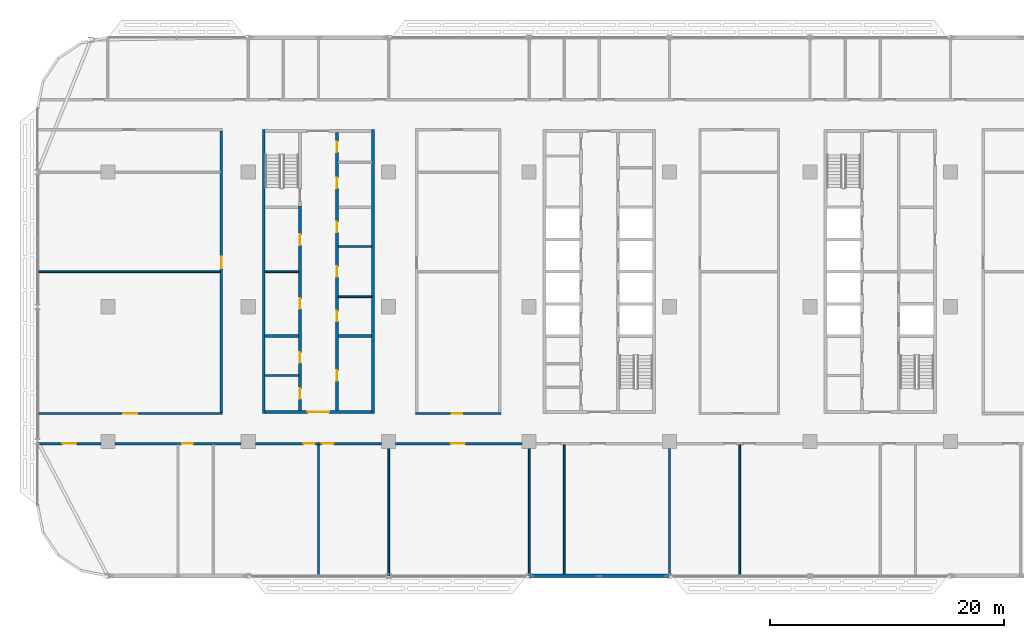
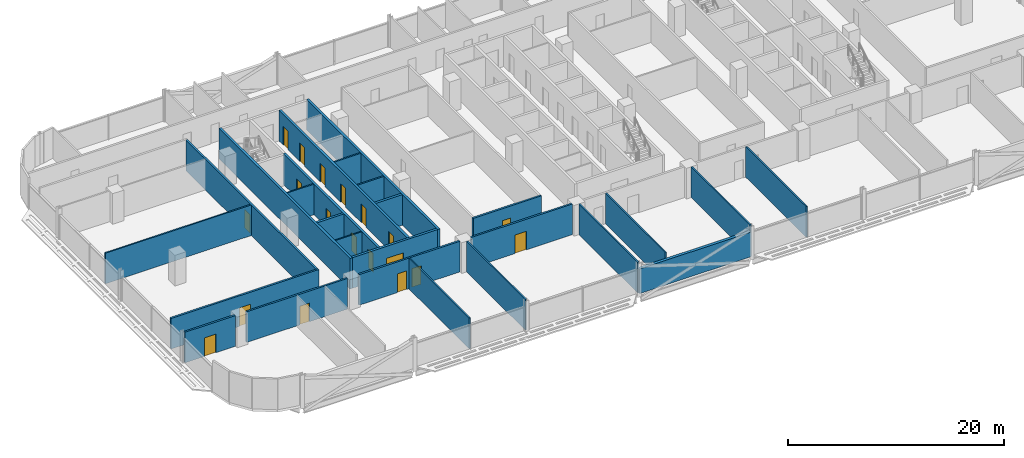
# One storey, part 11 of 27: 26 walls, 19 doors, 19 openings.
"""IFC4 building model written with IfcOpenShell, lengths in metres."""

from ifc_helpers import new_model, si_unit, direction, frame, frame_2d, origin, place, context, subcontext, project, spatial, rectangle, extrude, material, layer, layer_set, type_object, element, fill, save


model = new_model("IFC4")

# Units and contexts
model_context = context("Model", 3, precision=1e-05, world=origin(), true_north=direction((0.0, 1.0)))
body_context = subcontext(model_context, "Body", "Model", "MODEL_VIEW")
ifc_project = project(units=[si_unit("LENGTHUNIT", "METRE"), si_unit("AREAUNIT", "SQUARE_METRE"), si_unit("VOLUMEUNIT", "CUBIC_METRE"), si_unit("PLANEANGLEUNIT", "RADIAN"), si_unit("MASSUNIT", "GRAM", prefix="KILO")], contexts=[model_context])

# Site, building, storey
site_placement = place(None, origin())
site = spatial("IfcSite", under=ifc_project, at=site_placement, CompositionType="ELEMENT")
building_placement = place(site_placement, origin())
building = spatial("IfcBuilding", under=site, at=building_placement, Name="Mahtab Terrace Research Tower", CompositionType="ELEMENT")
storey_placement = place(building_placement, frame((0.0, 0.0, 166.800048828125)))
storey = spatial("IfcBuildingStorey", under=building, at=storey_placement, Name="L39", CompositionType="ELEMENT", Elevation=166.800048828125)

# Walls
ifc_material_1 = material(Name="Gypsum board partition")
ifc_layer_1 = layer(ifc_material_1, 0.14990234375)
ifc_layer_set_1 = layer_set([ifc_layer_1], Name="Core partition 150")
wall_type_1 = type_object("IfcWallType", Name="Core partition 150", PredefinedType="PARTITIONING", material=ifc_layer_set_1)
for number, where, z_axis, x_axis, name in (
    (1, (-28.550048828125, 3.0, 0.0), (0.0, 0.0, 1.0), (1.0, 0.0, 0.0), "Core wall A pWL0"),
    (2, (-22.300048828125, 0.85009765625, 0.0), (0.0, 0.0, 1.0), (1.0, 0.0, 0.0), "Core wall A pEL-215"),
    (3, (-22.300048828125, 5.14990234375, 0.0), (0.0, 0.0, 1.0), (1.0, 0.0, 0.0), "Core wall A pEL215"),
    (4, (-28.550048828125, -5.875, 0.0), (0.0, 0.0, 1.0), (1.0, 0.0, 0.0), "Core wall A pWS-888"),
):
    element("IfcWall", number, at=place(storey_placement, frame(where, z_axis=z_axis, x_axis=x_axis)), inside=storey, type_object=wall_type_1, Name=name, PredefinedType="PARTITIONING", context=body_context, shape_type="SweptSolid", body=[
        extrude(rectangle(XDim=2.85009765625, YDim=0.14990234375, at=frame_2d((1.425048828125, 0.0))), origin(), (0.0, 0.0, 1.0), 3.4599609375),
    ])
ifc_material_2 = material(Name="Concrete C70/85", Category="concrete")
ifc_layer_2 = layer(ifc_material_2, 0.25)
ifc_layer_set_2 = layer_set([ifc_layer_2], Name="Core wall 250")
wall_type_2 = type_object("IfcWallType", Name="Core wall 250", PredefinedType="SOLIDWALL", material=ifc_layer_set_2)
for number, where, z_axis, x_axis, name in (
    (5, (-28.675048828125, 15.125, 0.0), (0.0, 0.0, 1.0), (0.0, -1.0, 0.0), "Core wall A outerW"),
    (6, (-19.324951171875, -9.125, 0.0), (0.0, 0.0, 1.0), (0.0, 1.0, 0.0), "Core wall A outerE"),
):
    element("IfcWall", number, at=place(storey_placement, frame(where, z_axis=z_axis, x_axis=x_axis)), inside=storey, type_object=wall_type_2, Name=name, PredefinedType="SOLIDWALL", context=body_context, shape_type="SweptSolid", body=[
        extrude(rectangle(XDim=24.25, YDim=0.25, at=frame_2d((12.125, 0.0))), origin(), (0.0, 0.0, 1.0), 3.4599609375),
    ])

# Wall, opening, door
wall_1_placement = place(storey_placement, frame((-19.449951171875, -9.0, 0.0), z_axis=(0.0, 0.0, 1.0), x_axis=(-1.0, 0.0, 0.0)))
wall_1 = element("IfcWall", 7, at=wall_1_placement, inside=storey, type_object=wall_type_2, Name="Core wall A endS", PredefinedType="SOLIDWALL", context=body_context, shape_type="SweptSolid", body=[
    extrude(rectangle(XDim=9.10009765625, YDim=0.25, at=frame_2d((4.550048828125, 0.0))), origin(), (0.0, 0.0, 1.0), 3.4599609375),
])
opening_1_placement = place(wall_1_placement, frame((3.64990234375, 0.0, 0.0)))
opening_1 = element("IfcOpeningElement", 8, at=opening_1_placement, cuts=wall_1, Name="Opening A-S1", PredefinedType="OPENING", context=body_context, shape_type="SweptSolid", body=[
    extrude(rectangle(XDim=1.800048828125, YDim=2.10009765625, at=frame_2d((0.89990234375, 1.050048828125))), frame((0.0, 0.135009765625, 0.0), z_axis=(0.0, -1.0, 0.0), x_axis=(1.0, 0.0, 0.0)), (0.0, 0.0, 1.0), 0.27001953125),
])
ifc_material_3 = material(Name="Steel fire door", Category="steel")
door_type_1 = type_object("IfcDoorType", Name="Lobby double door 1800x2100 1 HR", OperationType="DOUBLE_DOOR_SINGLE_SWING", PredefinedType="DOOR", material=ifc_material_3)
door_1_placement = place(opening_1_placement, origin())
door_1 = element("IfcDoor", 9, at=door_1_placement, inside=storey, type_object=door_type_1, Name="Core entrance door A S", OperationType="DOUBLE_DOOR_SINGLE_SWING", OverallHeight=2.10009765625, OverallWidth=1.800048828125, PredefinedType="DOOR", context=body_context, shape_type="SweptSolid", body=[
    extrude(rectangle(XDim=1.800048828125, YDim=2.10009765625, at=frame_2d((0.89990234375, 1.050048828125))), frame((0.0, 0.02490234375, 0.0), z_axis=(0.0, -1.0, 0.0), x_axis=(1.0, 0.0, 0.0)), (0.0, 0.0, 1.0), 0.050048828125),
])
fill(opening_1, door_1)

# Wall, openings, doors
wall_2_placement = place(storey_placement, frame((-25.574951171875, -8.875, 0.0), z_axis=(0.0, 0.0, 1.0), x_axis=(0.0, 1.0, 0.0)))
wall_2 = element("IfcWall", 10, at=wall_2_placement, inside=storey, type_object=wall_type_2, Name="Core wall A innerWSL", PredefinedType="SOLIDWALL", context=body_context, shape_type="SweptSolid", body=[
    extrude(rectangle(XDim=17.5, YDim=0.25, at=frame_2d((8.75, 0.0))), origin(), (0.0, 0.0, 1.0), 3.4599609375),
])
opening_2_placement = place(wall_2_placement, frame((8.699951171875, 0.0, 0.0)))
opening_2 = element("IfcOpeningElement", 11, at=opening_2_placement, cuts=wall_2, Name="Opening A-R1", PredefinedType="OPENING", context=body_context, shape_type="SweptSolid", body=[
    extrude(rectangle(XDim=0.89990234375, YDim=2.10009765625, at=frame_2d((0.449951171875, 1.050048828125))), frame((0.0, 0.135009765625, 0.0), z_axis=(0.0, -1.0, 0.0), x_axis=(1.0, 0.0, 0.0)), (0.0, 0.0, 1.0), 0.27001953125),
])
opening_3_placement = place(wall_2_placement, frame((14.14990234375, 0.0, 0.0)))
opening_3 = element("IfcOpeningElement", 12, at=opening_3_placement, cuts=wall_2, Name="Opening A-R2", PredefinedType="OPENING", context=body_context, shape_type="SweptSolid", body=[
    extrude(rectangle(XDim=0.89990234375, YDim=2.10009765625, at=frame_2d((0.449951171875, 1.050048828125))), frame((0.0, 0.135009765625, 0.0), z_axis=(0.0, -1.0, 0.0), x_axis=(1.0, 0.0, 0.0)), (0.0, 0.0, 1.0), 0.27001953125),
])
opening_4_placement = place(wall_2_placement, frame((1.012451171875, 0.0, 0.0)))
opening_4 = element("IfcOpeningElement", 13, at=opening_4_placement, cuts=wall_2, Name="Opening A-R6", PredefinedType="OPENING", context=body_context, shape_type="SweptSolid", body=[
    extrude(rectangle(XDim=0.89990234375, YDim=2.10009765625, at=frame_2d((0.449951171875, 1.050048828125))), frame((0.0, 0.135009765625, 0.0), z_axis=(0.0, -1.0, 0.0), x_axis=(1.0, 0.0, 0.0)), (0.0, 0.0, 1.0), 0.27001953125),
])
opening_5_placement = place(wall_2_placement, frame((4.08740234375, 0.0, 0.0)))
opening_5 = element("IfcOpeningElement", 14, at=opening_5_placement, cuts=wall_2, Name="Opening A-R7", PredefinedType="OPENING", context=body_context, shape_type="SweptSolid", body=[
    extrude(rectangle(XDim=0.89990234375, YDim=2.10009765625, at=frame_2d((0.449951171875, 1.050048828125))), frame((0.0, 0.135009765625, 0.0), z_axis=(0.0, -1.0, 0.0), x_axis=(1.0, 0.0, 0.0)), (0.0, 0.0, 1.0), 0.27001953125),
])
door_type_2 = type_object("IfcDoorType", Name="Room door 900x2100 1 HR", OperationType="NOTDEFINED", PredefinedType="DOOR", material=ifc_material_3)
door_2_placement = place(opening_2_placement, origin())
door_2 = element("IfcDoor", 15, at=door_2_placement, inside=storey, type_object=door_type_2, Name="Document store door", OperationType="SINGLE_SWING_LEFT", OverallHeight=2.10009765625, OverallWidth=0.89990234375, PredefinedType="DOOR", context=body_context, shape_type="SweptSolid", body=[
    extrude(rectangle(XDim=0.89990234375, YDim=2.10009765625, at=frame_2d((0.449951171875, 1.050048828125))), frame((0.0, 0.02490234375, 0.0), z_axis=(0.0, -1.0, 0.0), x_axis=(1.0, 0.0, 0.0)), (0.0, 0.0, 1.0), 0.050048828125),
])
fill(opening_2, door_2)
door_3_placement = place(opening_3_placement, origin())
door_3 = element("IfcDoor", 16, at=door_3_placement, inside=storey, type_object=door_type_2, Name="IT equipment room door", OperationType="SINGLE_SWING_RIGHT", OverallHeight=2.10009765625, OverallWidth=0.89990234375, PredefinedType="DOOR", context=body_context, shape_type="SweptSolid", body=[
    extrude(rectangle(XDim=0.89990234375, YDim=2.10009765625, at=frame_2d((0.449951171875, 1.050048828125))), frame((0.0, 0.02490234375, 0.0), z_axis=(0.0, -1.0, 0.0), x_axis=(1.0, 0.0, 0.0)), (0.0, 0.0, 1.0), 0.050048828125),
])
fill(opening_3, door_3)
door_4_placement = place(opening_4_placement, origin())
door_4 = element("IfcDoor", 17, at=door_4_placement, inside=storey, type_object=door_type_2, Name="Staff WC door", OperationType="SINGLE_SWING_RIGHT", OverallHeight=2.10009765625, OverallWidth=0.89990234375, PredefinedType="DOOR", context=body_context, shape_type="SweptSolid", body=[
    extrude(rectangle(XDim=0.89990234375, YDim=2.10009765625, at=frame_2d((0.449951171875, 1.050048828125))), frame((0.0, 0.02490234375, 0.0), z_axis=(0.0, -1.0, 0.0), x_axis=(1.0, 0.0, 0.0)), (0.0, 0.0, 1.0), 0.050048828125),
])
fill(opening_4, door_4)
door_5_placement = place(opening_5_placement, origin())
door_5 = element("IfcDoor", 18, at=door_5_placement, inside=storey, type_object=door_type_2, Name="Accessible WC door", OperationType="SINGLE_SWING_LEFT", OverallHeight=2.10009765625, OverallWidth=0.89990234375, PredefinedType="DOOR", context=body_context, shape_type="SweptSolid", body=[
    extrude(rectangle(XDim=0.89990234375, YDim=2.10009765625, at=frame_2d((0.449951171875, 1.050048828125))), frame((0.0, 0.02490234375, 0.0), z_axis=(0.0, -1.0, 0.0), x_axis=(1.0, 0.0, 0.0)), (0.0, 0.0, 1.0), 0.050048828125),
])
fill(opening_5, door_5)

wall_3_placement = place(storey_placement, frame((-22.425048828125, 14.875, 0.0), z_axis=(0.0, 0.0, 1.0), x_axis=(0.0, -1.0, 0.0)))
wall_3 = element("IfcWall", 19, at=wall_3_placement, inside=storey, type_object=wall_type_2, Name="Core wall A innerESLN", PredefinedType="SOLIDWALL", context=body_context, shape_type="SweptSolid", body=[
    extrude(rectangle(XDim=23.75, YDim=0.25, at=frame_2d((11.875, 0.0))), origin(), (0.0, 0.0, 1.0), 3.4599609375),
])
opening_6_placement = place(wall_3_placement, frame((15.22509765625, 0.0, 0.0)))
opening_6 = element("IfcOpeningElement", 20, at=opening_6_placement, cuts=wall_3, Name="Opening A-R3", PredefinedType="OPENING", context=body_context, shape_type="SweptSolid", body=[
    extrude(rectangle(XDim=0.89990234375, YDim=2.10009765625, at=frame_2d((0.449951171875, 1.050048828125))), frame((0.0, 0.135009765625, 0.0), z_axis=(0.0, -1.0, 0.0), x_axis=(1.0, 0.0, 0.0)), (0.0, 0.0, 1.0), 0.27001953125),
])
opening_7_placement = place(wall_3_placement, frame((11.425048828125, 0.0, 0.0)))
opening_7 = element("IfcOpeningElement", 21, at=opening_7_placement, cuts=wall_3, Name="Opening A-R4", PredefinedType="OPENING", context=body_context, shape_type="SweptSolid", body=[
    extrude(rectangle(XDim=0.89990234375, YDim=2.10009765625, at=frame_2d((0.449951171875, 1.050048828125))), frame((0.0, 0.135009765625, 0.0), z_axis=(0.0, -1.0, 0.0), x_axis=(1.0, 0.0, 0.0)), (0.0, 0.0, 1.0), 0.27001953125),
])
opening_8_placement = place(wall_3_placement, frame((7.625, 0.0, 0.0)))
opening_8 = element("IfcOpeningElement", 22, at=opening_8_placement, cuts=wall_3, Name="Opening A-R5", PredefinedType="OPENING", context=body_context, shape_type="SweptSolid", body=[
    extrude(rectangle(XDim=0.89990234375, YDim=2.10009765625, at=frame_2d((0.449951171875, 1.050048828125))), frame((0.0, 0.135009765625, 0.0), z_axis=(0.0, -1.0, 0.0), x_axis=(1.0, 0.0, 0.0)), (0.0, 0.0, 1.0), 0.27001953125),
])
opening_9_placement = place(wall_3_placement, frame((20.300048828125, 0.0, 0.0)))
opening_9 = element("IfcOpeningElement", 23, at=opening_9_placement, cuts=wall_3, Name="Opening A-R8", PredefinedType="OPENING", context=body_context, shape_type="SweptSolid", body=[
    extrude(rectangle(XDim=0.89990234375, YDim=2.10009765625, at=frame_2d((0.449951171875, 1.050048828125))), frame((0.0, 0.135009765625, 0.0), z_axis=(0.0, -1.0, 0.0), x_axis=(1.0, 0.0, 0.0)), (0.0, 0.0, 1.0), 0.27001953125),
])
opening_10_placement = place(wall_3_placement, frame((3.847412109375, 0.0, 0.0)))
opening_10 = element("IfcOpeningElement", 24, at=opening_10_placement, cuts=wall_3, Name="Opening A-R9", PredefinedType="OPENING", context=body_context, shape_type="SweptSolid", body=[
    extrude(rectangle(XDim=0.89990234375, YDim=2.10009765625, at=frame_2d((0.449951171875, 1.050048828125))), frame((0.0, 0.135009765625, 0.0), z_axis=(0.0, -1.0, 0.0), x_axis=(1.0, 0.0, 0.0)), (0.0, 0.0, 1.0), 0.27001953125),
])
opening_11_placement = place(wall_3_placement, frame((0.7724609375, 0.0, 0.0)))
opening_11 = element("IfcOpeningElement", 25, at=opening_11_placement, cuts=wall_3, Name="Opening A-R10", PredefinedType="OPENING", context=body_context, shape_type="SweptSolid", body=[
    extrude(rectangle(XDim=0.89990234375, YDim=2.10009765625, at=frame_2d((0.449951171875, 1.050048828125))), frame((0.0, 0.135009765625, 0.0), z_axis=(0.0, -1.0, 0.0), x_axis=(1.0, 0.0, 0.0)), (0.0, 0.0, 1.0), 0.27001953125),
])
door_6_placement = place(opening_6_placement, origin())
door_6 = element("IfcDoor", 26, at=door_6_placement, inside=storey, type_object=door_type_2, Name="Electrical room door", OperationType="SINGLE_SWING_LEFT", OverallHeight=2.10009765625, OverallWidth=0.89990234375, PredefinedType="DOOR", context=body_context, shape_type="SweptSolid", body=[
    extrude(rectangle(XDim=0.89990234375, YDim=2.10009765625, at=frame_2d((0.449951171875, 1.050048828125))), frame((0.0, 0.02490234375, 0.0), z_axis=(0.0, -1.0, 0.0), x_axis=(1.0, 0.0, 0.0)), (0.0, 0.0, 1.0), 0.050048828125),
])
fill(opening_6, door_6)
door_7_placement = place(opening_7_placement, origin())
door_7 = element("IfcDoor", 27, at=door_7_placement, inside=storey, type_object=door_type_2, Name="Pantry door", OperationType="SINGLE_SWING_RIGHT", OverallHeight=2.10009765625, OverallWidth=0.89990234375, PredefinedType="DOOR", context=body_context, shape_type="SweptSolid", body=[
    extrude(rectangle(XDim=0.89990234375, YDim=2.10009765625, at=frame_2d((0.449951171875, 1.050048828125))), frame((0.0, 0.02490234375, 0.0), z_axis=(0.0, -1.0, 0.0), x_axis=(1.0, 0.0, 0.0)), (0.0, 0.0, 1.0), 0.050048828125),
])
fill(opening_7, door_7)
door_8_placement = place(opening_8_placement, origin())
door_8 = element("IfcDoor", 28, at=door_8_placement, inside=storey, type_object=door_type_2, Name="Housekeeping store door", OperationType="SINGLE_SWING_LEFT", OverallHeight=2.10009765625, OverallWidth=0.89990234375, PredefinedType="DOOR", context=body_context, shape_type="SweptSolid", body=[
    extrude(rectangle(XDim=0.89990234375, YDim=2.10009765625, at=frame_2d((0.449951171875, 1.050048828125))), frame((0.0, 0.02490234375, 0.0), z_axis=(0.0, -1.0, 0.0), x_axis=(1.0, 0.0, 0.0)), (0.0, 0.0, 1.0), 0.050048828125),
])
fill(opening_8, door_8)
door_9_placement = place(opening_9_placement, origin())
door_9 = element("IfcDoor", 29, at=door_9_placement, inside=storey, type_object=door_type_2, Name="Gas cylinder store door", OperationType="SINGLE_SWING_RIGHT", OverallHeight=2.10009765625, OverallWidth=0.89990234375, PredefinedType="DOOR", context=body_context, shape_type="SweptSolid", body=[
    extrude(rectangle(XDim=0.89990234375, YDim=2.10009765625, at=frame_2d((0.449951171875, 1.050048828125))), frame((0.0, 0.02490234375, 0.0), z_axis=(0.0, -1.0, 0.0), x_axis=(1.0, 0.0, 0.0)), (0.0, 0.0, 1.0), 0.050048828125),
])
fill(opening_9, door_9)
door_10_placement = place(opening_10_placement, origin())
door_10 = element("IfcDoor", 30, at=door_10_placement, inside=storey, type_object=door_type_2, Name="Pantry door", OperationType="SINGLE_SWING_LEFT", OverallHeight=2.10009765625, OverallWidth=0.89990234375, PredefinedType="DOOR", context=body_context, shape_type="SweptSolid", body=[
    extrude(rectangle(XDim=0.89990234375, YDim=2.10009765625, at=frame_2d((0.449951171875, 1.050048828125))), frame((0.0, 0.02490234375, 0.0), z_axis=(0.0, -1.0, 0.0), x_axis=(1.0, 0.0, 0.0)), (0.0, 0.0, 1.0), 0.050048828125),
])
fill(opening_10, door_10)
door_11_placement = place(opening_11_placement, origin())
door_11 = element("IfcDoor", 31, at=door_11_placement, inside=storey, type_object=door_type_2, Name="Linen store door", OperationType="SINGLE_SWING_RIGHT", OverallHeight=2.10009765625, OverallWidth=0.89990234375, PredefinedType="DOOR", context=body_context, shape_type="SweptSolid", body=[
    extrude(rectangle(XDim=0.89990234375, YDim=2.10009765625, at=frame_2d((0.449951171875, 1.050048828125))), frame((0.0, 0.02490234375, 0.0), z_axis=(0.0, -1.0, 0.0), x_axis=(1.0, 0.0, 0.0)), (0.0, 0.0, 1.0), 0.050048828125),
])
fill(opening_11, door_11)

# Walls
for number, where, z_axis, x_axis, name in (
    (32, (-28.550048828125, -2.5, 0.0), (0.0, 0.0, 1.0), (1.0, 0.0, 0.0), "Core wall A divW0"),
    (33, (-22.300048828125, -2.5, 0.0), (0.0, 0.0, 1.0), (1.0, 0.0, 0.0), "Core wall A divE0"),
):
    element("IfcWall", number, at=place(storey_placement, frame(where, z_axis=z_axis, x_axis=x_axis)), inside=storey, type_object=wall_type_2, Name=name, PredefinedType="SOLIDWALL", context=body_context, shape_type="SweptSolid", body=[
        extrude(rectangle(XDim=2.85009765625, YDim=0.25, at=frame_2d((1.425048828125, 0.0))), origin(), (0.0, 0.0, 1.0), 3.4599609375),
    ])
ifc_material_4 = material(Name="Black aluminium cladding panel", Category="aluminium")
ifc_layer_3 = layer(ifc_material_4, 0.300048828125)
ifc_layer_set_3 = layer_set([ifc_layer_3], Name="Opaque facade wall 300")
wall_type_3 = type_object("IfcWallType", Name="Opaque facade wall 300", PredefinedType="NOTDEFINED", material=ifc_layer_set_3)
wall_4_placement = place(storey_placement, frame((-5.985107421875, -23.0, 0.0), z_axis=(0.0, 0.0, 1.0), x_axis=(1.0, 0.0, 0.0)))
element("IfcWall", 34, at=wall_4_placement, inside=storey, type_object=wall_type_3, Name="Opaque facade wall L39 S26", PredefinedType="NOTDEFINED", context=body_context, shape_type="SweptSolid", body=[
    extrude(rectangle(XDim=11.97021484375, YDim=0.300048828125, at=frame_2d((5.985107421875, 0.0))), origin(), (0.0, 0.0, 1.0), 2.78173828125),
])

# Wall, opening, door
ifc_material_5 = material(Name="Gypsum board corridor wall on steel studs", Category="steel")
ifc_layer_4 = layer(ifc_material_5, 0.199951171875)
ifc_layer_set_4 = layer_set([ifc_layer_4], Name="WALL CORRIDOR 200")
wall_type_4 = type_object("IfcWallType", Name="WALL CORRIDOR 200", PredefinedType="PARTITIONING", material=ifc_layer_set_4)
wall_5_placement = place(storey_placement, frame((-47.97509765625, -11.699951171875, 0.0), z_axis=(0.0, 0.0, 1.0), x_axis=(1.0, 0.0, 0.0)))
wall_5 = element("IfcWall", 35, at=wall_5_placement, inside=storey, type_object=wall_type_4, Name="L39-W001", PredefinedType="PARTITIONING", context=body_context, shape_type="SweptSolid", body=[
    extrude(rectangle(XDim=5.375, YDim=0.199951171875, at=frame_2d((2.6875, 0.0))), origin(), (0.0, 0.0, 1.0), 3.4599609375),
])
opening_12_placement = place(wall_5_placement, frame((2.10009765625, 0.0, 0.0)))
opening_12 = element("IfcOpeningElement", 36, at=opening_12_placement, cuts=wall_5, Name="Opening L39-101", PredefinedType="OPENING", context=body_context, shape_type="SweptSolid", body=[
    extrude(rectangle(XDim=1.199951171875, YDim=2.10009765625, at=frame_2d((0.60009765625, 1.050048828125))), frame((0.0, 0.10986328125, 0.0), z_axis=(0.0, -1.0, 0.0), x_axis=(1.0, 0.0, 0.0)), (0.0, 0.0, 1.0), 0.219970703125),
])
ifc_material_6 = material(Name="Timber door leaf in steel frame", Category="steel")
door_type_3 = type_object("IfcDoorType", Name="DOOR 1200X2100 FD30S", OperationType="SINGLE_SWING_LEFT", PredefinedType="DOOR", material=ifc_material_6)
door_12_placement = place(opening_12_placement, origin())
door_12 = element("IfcDoor", 37, at=door_12_placement, inside=storey, type_object=door_type_3, Name="Door L39-101", OperationType="SINGLE_SWING_LEFT", OverallHeight=2.10009765625, OverallWidth=1.199951171875, PredefinedType="DOOR", context=body_context, shape_type="SweptSolid", body=[
    extrude(rectangle(XDim=1.199951171875, YDim=2.10009765625, at=frame_2d((0.60009765625, 1.050048828125))), frame((0.0, 0.02490234375, 0.0), z_axis=(0.0, -1.0, 0.0), x_axis=(1.0, 0.0, 0.0)), (0.0, 0.0, 1.0), 0.050048828125),
])
fill(opening_12, door_12)

wall_6_placement = place(storey_placement, frame((-41.39990234375, -11.699951171875, 0.0), z_axis=(0.0, 0.0, 1.0), x_axis=(1.0, 0.0, 0.0)))
wall_6 = element("IfcWall", 38, at=wall_6_placement, inside=storey, type_object=wall_type_4, Name="L39-W002", PredefinedType="PARTITIONING", context=body_context, shape_type="SweptSolid", body=[
    extrude(rectangle(XDim=10.7998046875, YDim=0.199951171875, at=frame_2d((5.39990234375, 0.0))), origin(), (0.0, 0.0, 1.0), 3.4599609375),
])
opening_13_placement = place(wall_6_placement, frame((5.699951171875, 0.0, 0.0)))
opening_13 = element("IfcOpeningElement", 39, at=opening_13_placement, cuts=wall_6, Name="Opening L39-102", PredefinedType="OPENING", context=body_context, shape_type="SweptSolid", body=[
    extrude(rectangle(XDim=1.0, YDim=2.10009765625, at=frame_2d((0.5, 1.050048828125))), frame((0.0, 0.10986328125, 0.0), z_axis=(0.0, -1.0, 0.0), x_axis=(1.0, 0.0, 0.0)), (0.0, 0.0, 1.0), 0.219970703125),
])
door_type_4 = type_object("IfcDoorType", Name="DOOR 1000X2100 FD30S", OperationType="SINGLE_SWING_LEFT", PredefinedType="DOOR", material=ifc_material_6)
door_13_placement = place(opening_13_placement, origin())
door_13 = element("IfcDoor", 40, at=door_13_placement, inside=storey, type_object=door_type_4, Name="Door L39-102", OperationType="SINGLE_SWING_LEFT", OverallHeight=2.10009765625, OverallWidth=1.0, PredefinedType="DOOR", context=body_context, shape_type="SweptSolid", body=[
    extrude(rectangle(XDim=1.0, YDim=2.10009765625, at=frame_2d((0.5, 1.050048828125))), frame((0.0, 0.02490234375, 0.0), z_axis=(0.0, -1.0, 0.0), x_axis=(1.0, 0.0, 0.0)), (0.0, 0.0, 1.0), 0.050048828125),
])
fill(opening_13, door_13)

# Wall, openings, doors
wall_7_placement = place(storey_placement, frame((-29.39990234375, -11.699951171875, 0.0), z_axis=(0.0, 0.0, 1.0), x_axis=(1.0, 0.0, 0.0)))
wall_7 = element("IfcWall", 41, at=wall_7_placement, inside=storey, type_object=wall_type_4, Name="L39-W003", PredefinedType="PARTITIONING", context=body_context, shape_type="SweptSolid", body=[
    extrude(rectangle(XDim=10.7998046875, YDim=0.199951171875, at=frame_2d((5.39990234375, 0.0))), origin(), (0.0, 0.0, 1.0), 3.4599609375),
])
opening_14_placement = place(wall_7_placement, frame((4.10009765625, 0.0, 0.0)))
opening_14 = element("IfcOpeningElement", 42, at=opening_14_placement, cuts=wall_7, Name="Opening L39-103", PredefinedType="OPENING", context=body_context, shape_type="SweptSolid", body=[
    extrude(rectangle(XDim=1.0, YDim=2.10009765625, at=frame_2d((0.5, 1.050048828125))), frame((0.0, 0.10986328125, 0.0), z_axis=(0.0, -1.0, 0.0), x_axis=(1.0, 0.0, 0.0)), (0.0, 0.0, 1.0), 0.219970703125),
])
opening_15_placement = place(wall_7_placement, frame((5.699951171875, 0.0, 0.0)))
opening_15 = element("IfcOpeningElement", 43, at=opening_15_placement, cuts=wall_7, Name="Opening L39-104", PredefinedType="OPENING", context=body_context, shape_type="SweptSolid", body=[
    extrude(rectangle(XDim=1.0, YDim=2.10009765625, at=frame_2d((0.5, 1.050048828125))), frame((0.0, 0.10986328125, 0.0), z_axis=(0.0, -1.0, 0.0), x_axis=(1.0, 0.0, 0.0)), (0.0, 0.0, 1.0), 0.219970703125),
])
door_14_placement = place(opening_14_placement, origin())
door_14 = element("IfcDoor", 44, at=door_14_placement, inside=storey, type_object=door_type_4, Name="Door L39-103", OperationType="SINGLE_SWING_RIGHT", OverallHeight=2.10009765625, OverallWidth=1.0, PredefinedType="DOOR", context=body_context, shape_type="SweptSolid", body=[
    extrude(rectangle(XDim=1.0, YDim=2.10009765625, at=frame_2d((0.5, 1.050048828125))), frame((0.0, 0.02490234375, 0.0), z_axis=(0.0, -1.0, 0.0), x_axis=(1.0, 0.0, 0.0)), (0.0, 0.0, 1.0), 0.050048828125),
])
fill(opening_14, door_14)
door_15_placement = place(opening_15_placement, origin())
door_15 = element("IfcDoor", 45, at=door_15_placement, inside=storey, type_object=door_type_4, Name="Door L39-104", OperationType="SINGLE_SWING_LEFT", OverallHeight=2.10009765625, OverallWidth=1.0, PredefinedType="DOOR", context=body_context, shape_type="SweptSolid", body=[
    extrude(rectangle(XDim=1.0, YDim=2.10009765625, at=frame_2d((0.5, 1.050048828125))), frame((0.0, 0.02490234375, 0.0), z_axis=(0.0, -1.0, 0.0), x_axis=(1.0, 0.0, 0.0)), (0.0, 0.0, 1.0), 0.050048828125),
])
fill(opening_15, door_15)

# Wall, opening, door
wall_8_placement = place(storey_placement, frame((-17.39990234375, -11.699951171875, 0.0), z_axis=(0.0, 0.0, 1.0), x_axis=(1.0, 0.0, 0.0)))
wall_8 = element("IfcWall", 46, at=wall_8_placement, inside=storey, type_object=wall_type_4, Name="L39-W004", PredefinedType="PARTITIONING", context=body_context, shape_type="SweptSolid", body=[
    extrude(rectangle(XDim=10.7998046875, YDim=0.199951171875, at=frame_2d((5.39990234375, 0.0))), origin(), (0.0, 0.0, 1.0), 3.4599609375),
])
opening_16_placement = place(wall_8_placement, frame((4.699951171875, 0.0, 0.0)))
opening_16 = element("IfcOpeningElement", 47, at=opening_16_placement, cuts=wall_8, Name="Opening L39-105", PredefinedType="OPENING", context=body_context, shape_type="SweptSolid", body=[
    extrude(rectangle(XDim=1.199951171875, YDim=2.10009765625, at=frame_2d((0.60009765625, 1.050048828125))), frame((0.0, 0.10986328125, 0.0), z_axis=(0.0, -1.0, 0.0), x_axis=(1.0, 0.0, 0.0)), (0.0, 0.0, 1.0), 0.219970703125),
])
door_16_placement = place(opening_16_placement, origin())
door_16 = element("IfcDoor", 48, at=door_16_placement, inside=storey, type_object=door_type_3, Name="Door L39-105", OperationType="SINGLE_SWING_RIGHT", OverallHeight=2.10009765625, OverallWidth=1.199951171875, PredefinedType="DOOR", context=body_context, shape_type="SweptSolid", body=[
    extrude(rectangle(XDim=1.199951171875, YDim=2.10009765625, at=frame_2d((0.60009765625, 1.050048828125))), frame((0.0, 0.02490234375, 0.0), z_axis=(0.0, -1.0, 0.0), x_axis=(1.0, 0.0, 0.0)), (0.0, 0.0, 1.0), 0.050048828125),
])
fill(opening_16, door_16)

wall_9_placement = place(storey_placement, frame((-47.97509765625, -9.125, 0.0), z_axis=(0.0, 0.0, 1.0), x_axis=(1.0, 0.0, 0.0)))
wall_9 = element("IfcWall", 49, at=wall_9_placement, inside=storey, type_object=wall_type_4, Name="L39-W010", PredefinedType="PARTITIONING", context=body_context, shape_type="SweptSolid", body=[
    extrude(rectangle(XDim=15.775146484375, YDim=0.199951171875, at=frame_2d((7.8876953125, 0.0))), origin(), (0.0, 0.0, 1.0), 3.4599609375),
])
opening_17_placement = place(wall_9_placement, frame((7.300048828125, 0.0, 0.0)))
opening_17 = element("IfcOpeningElement", 50, at=opening_17_placement, cuts=wall_9, Name="Opening L39-114", PredefinedType="OPENING", context=body_context, shape_type="SweptSolid", body=[
    extrude(rectangle(XDim=1.199951171875, YDim=2.10009765625, at=frame_2d((0.60009765625, 1.050048828125))), frame((0.0, 0.10986328125, 0.0), z_axis=(0.0, -1.0, 0.0), x_axis=(1.0, 0.0, 0.0)), (0.0, 0.0, 1.0), 0.219970703125),
])
door_17_placement = place(opening_17_placement, origin())
door_17 = element("IfcDoor", 51, at=door_17_placement, inside=storey, type_object=door_type_3, Name="Door L39-114", OperationType="SINGLE_SWING_RIGHT", OverallHeight=2.10009765625, OverallWidth=1.199951171875, PredefinedType="DOOR", context=body_context, shape_type="SweptSolid", body=[
    extrude(rectangle(XDim=1.199951171875, YDim=2.10009765625, at=frame_2d((0.60009765625, 1.050048828125))), frame((0.0, 0.02490234375, 0.0), z_axis=(0.0, -1.0, 0.0), x_axis=(1.0, 0.0, 0.0)), (0.0, 0.0, 1.0), 0.050048828125),
])
fill(opening_17, door_17)

wall_10_placement = place(storey_placement, frame((-15.699951171875, -9.125, 0.0), z_axis=(0.0, 0.0, 1.0), x_axis=(1.0, 0.0, 0.0)))
wall_10 = element("IfcWall", 52, at=wall_10_placement, inside=storey, type_object=wall_type_4, Name="L39-W011", PredefinedType="PARTITIONING", context=body_context, shape_type="SweptSolid", body=[
    extrude(rectangle(XDim=7.300048828125, YDim=0.199951171875, at=frame_2d((3.64990234375, 0.0))), origin(), (0.0, 0.0, 1.0), 3.4599609375),
])
opening_18_placement = place(wall_10_placement, frame((3.10009765625, 0.0, 0.0)))
opening_18 = element("IfcOpeningElement", 53, at=opening_18_placement, cuts=wall_10, Name="Opening L39-115", PredefinedType="OPENING", context=body_context, shape_type="SweptSolid", body=[
    extrude(rectangle(XDim=0.89990234375, YDim=2.10009765625, at=frame_2d((0.449951171875, 1.050048828125))), frame((0.0, 0.10986328125, 0.0), z_axis=(0.0, -1.0, 0.0), x_axis=(1.0, 0.0, 0.0)), (0.0, 0.0, 1.0), 0.219970703125),
])
door_type_5 = type_object("IfcDoorType", Name="DOOR 0900X2100 FD30S", OperationType="SINGLE_SWING_LEFT", PredefinedType="DOOR", material=ifc_material_6)
door_18_placement = place(opening_18_placement, origin())
door_18 = element("IfcDoor", 54, at=door_18_placement, inside=storey, type_object=door_type_5, Name="Door L39-115", OperationType="SINGLE_SWING_LEFT", OverallHeight=2.10009765625, OverallWidth=0.89990234375, PredefinedType="DOOR", context=body_context, shape_type="SweptSolid", body=[
    extrude(rectangle(XDim=0.89990234375, YDim=2.10009765625, at=frame_2d((0.449951171875, 1.050048828125))), frame((0.0, 0.02490234375, 0.0), z_axis=(0.0, -1.0, 0.0), x_axis=(1.0, 0.0, 0.0)), (0.0, 0.0, 1.0), 0.050048828125),
])
fill(opening_18, door_18)

wall_11_placement = place(storey_placement, frame((-32.300048828125, -9.02490234375, 0.0), z_axis=(0.0, 0.0, 1.0), x_axis=(0.0, 1.0, 0.0)))
wall_11 = element("IfcWall", 55, at=wall_11_placement, inside=storey, type_object=wall_type_4, Name="L39-W032", PredefinedType="PARTITIONING", context=body_context, shape_type="SweptSolid", body=[
    extrude(rectangle(XDim=24.0498046875, YDim=0.199951171875, at=frame_2d((12.02490234375, 0.0))), origin(), (0.0, 0.0, 1.0), 3.4599609375),
])
opening_19_placement = place(wall_11_placement, frame((12.300048828125, 0.0, 0.0)))
opening_19 = element("IfcOpeningElement", 56, at=opening_19_placement, cuts=wall_11, Name="Opening L39-118", PredefinedType="OPENING", context=body_context, shape_type="SweptSolid", body=[
    extrude(rectangle(XDim=1.0, YDim=2.10009765625, at=frame_2d((0.5, 1.050048828125))), frame((0.0, 0.10986328125, 0.0), z_axis=(0.0, -1.0, 0.0), x_axis=(1.0, 0.0, 0.0)), (0.0, 0.0, 1.0), 0.219970703125),
])
door_19_placement = place(opening_19_placement, origin())
door_19 = element("IfcDoor", 57, at=door_19_placement, inside=storey, type_object=door_type_4, Name="Door L39-118", OperationType="SINGLE_SWING_RIGHT", OverallHeight=2.10009765625, OverallWidth=1.0, PredefinedType="DOOR", context=body_context, shape_type="SweptSolid", body=[
    extrude(rectangle(XDim=1.0, YDim=2.10009765625, at=frame_2d((0.5, 1.050048828125))), frame((0.0, 0.02490234375, 0.0), z_axis=(0.0, -1.0, 0.0), x_axis=(1.0, 0.0, 0.0)), (0.0, 0.0, 1.0), 0.050048828125),
])
fill(opening_19, door_19)

# Walls
ifc_material_7 = material(Name="Gypsum board partition on steel studs", Category="steel")
ifc_layer_5 = layer(ifc_material_7, 0.14990234375)
ifc_layer_set_5 = layer_set([ifc_layer_5], Name="WALL PARTITION 150")
wall_type_5 = type_object("IfcWallType", Name="WALL PARTITION 150", PredefinedType="PARTITIONING", material=ifc_layer_set_5)
wall_12_placement = place(storey_placement, frame((-47.97509765625, 3.0, 0.0), z_axis=(0.0, 0.0, 1.0), x_axis=(1.0, 0.0, 0.0)))
element("IfcWall", 58, at=wall_12_placement, inside=storey, type_object=wall_type_5, Name="L39-W014", PredefinedType="PARTITIONING", context=body_context, shape_type="SweptSolid", body=[
    extrude(rectangle(XDim=15.5751953125, YDim=0.14990234375, at=frame_2d((7.78759765625, 0.0))), origin(), (0.0, 0.0, 1.0), 3.4599609375),
])
wall_13_placement = place(storey_placement, frame((-24.0, -22.97509765625, 0.0), z_axis=(0.0, 0.0, 1.0), x_axis=(0.0, 1.0, 0.0)))
element("IfcWall", 59, at=wall_13_placement, inside=storey, type_object=wall_type_5, Name="L39-W035", PredefinedType="PARTITIONING", context=body_context, shape_type="SweptSolid", body=[
    extrude(rectangle(XDim=11.175048828125, YDim=0.14990234375, at=frame_2d((5.58740234375, 0.0))), origin(), (0.0, 0.0, 1.0), 3.4599609375),
])
for number, where, z_axis, x_axis, name in (
    (60, (-18.0, -22.97509765625, 0.0), (0.0, 0.0, 1.0), (0.0, 1.0, 0.0), "L39-W037"),
    (61, (-6.0, -22.97509765625, 0.0), (0.0, 0.0, 1.0), (0.0, 1.0, 0.0), "L39-W041"),
):
    element("IfcWall", number, at=place(storey_placement, frame(where, z_axis=z_axis, x_axis=x_axis)), inside=storey, type_object=wall_type_5, Name=name, PredefinedType="PARTITIONING", context=body_context, shape_type="SweptSolid", body=[
        extrude(rectangle(XDim=10.875, YDim=0.14990234375, at=frame_2d((5.4375, 0.0))), origin(), (0.0, 0.0, 1.0), 3.4599609375),
    ])
wall_14_placement = place(storey_placement, frame((-3.0, -22.85009765625, 0.0), z_axis=(0.0, 0.0, 1.0), x_axis=(0.0, 1.0, 0.0)))
element("IfcWall", 62, at=wall_14_placement, inside=storey, type_object=wall_type_5, Name="L39-W043", PredefinedType="PARTITIONING", context=body_context, shape_type="SweptSolid", body=[
    extrude(rectangle(XDim=11.050048828125, YDim=0.14990234375, at=frame_2d((5.52490234375, 0.0))), origin(), (0.0, 0.0, 1.0), 3.4599609375),
])
wall_15_placement = place(storey_placement, frame((6.0, -22.97509765625, 0.0), z_axis=(0.0, 0.0, 1.0), x_axis=(0.0, 1.0, 0.0)))
element("IfcWall", 63, at=wall_15_placement, inside=storey, type_object=wall_type_5, Name="L39-W046", PredefinedType="PARTITIONING", context=body_context, shape_type="SweptSolid", body=[
    extrude(rectangle(XDim=10.875, YDim=0.14990234375, at=frame_2d((5.4375, 0.0))), origin(), (0.0, 0.0, 1.0), 3.4599609375),
])
wall_16_placement = place(storey_placement, frame((12.0, -22.97509765625, 0.0), z_axis=(0.0, 0.0, 1.0), x_axis=(0.0, 1.0, 0.0)))
element("IfcWall", 64, at=wall_16_placement, inside=storey, type_object=wall_type_5, Name="L39-W049", PredefinedType="PARTITIONING", context=body_context, shape_type="SweptSolid", body=[
    extrude(rectangle(XDim=11.175048828125, YDim=0.14990234375, at=frame_2d((5.58740234375, 0.0))), origin(), (0.0, 0.0, 1.0), 3.4599609375),
])

save(model, "model.ifc")
